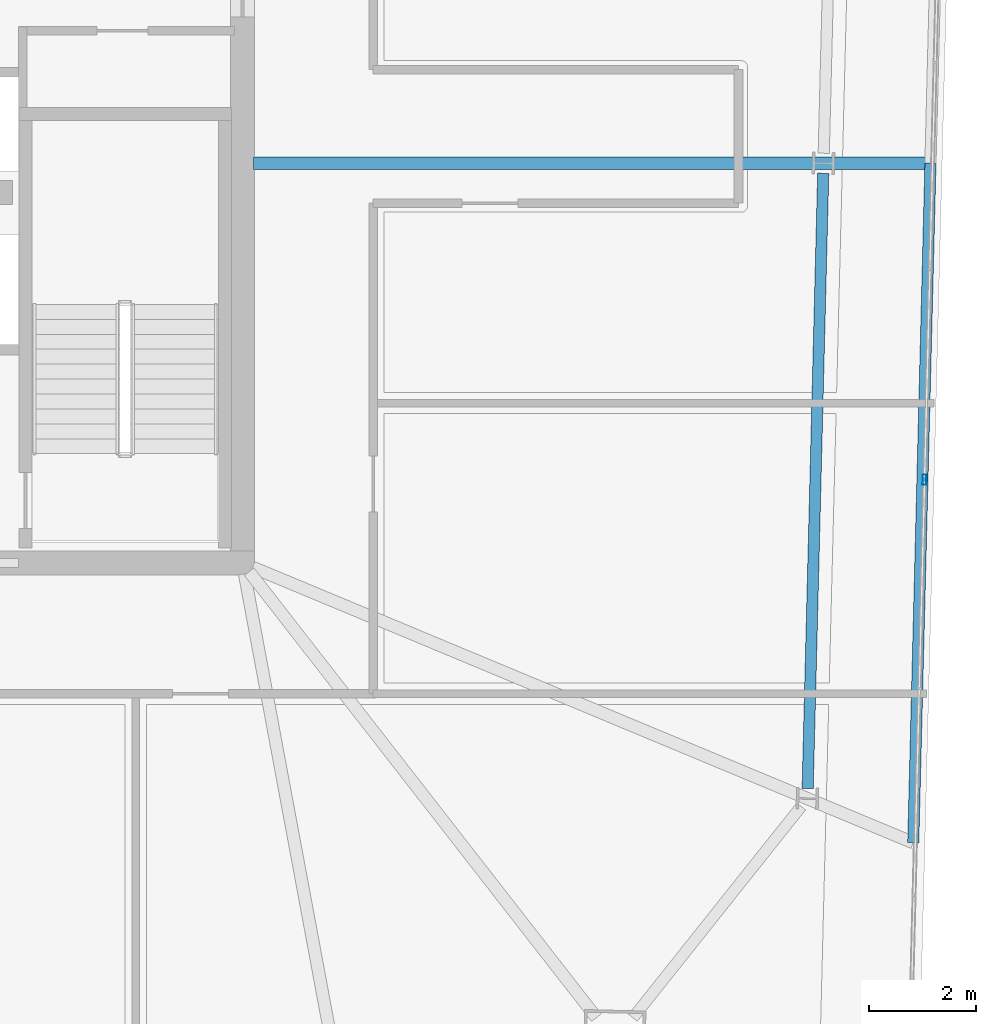
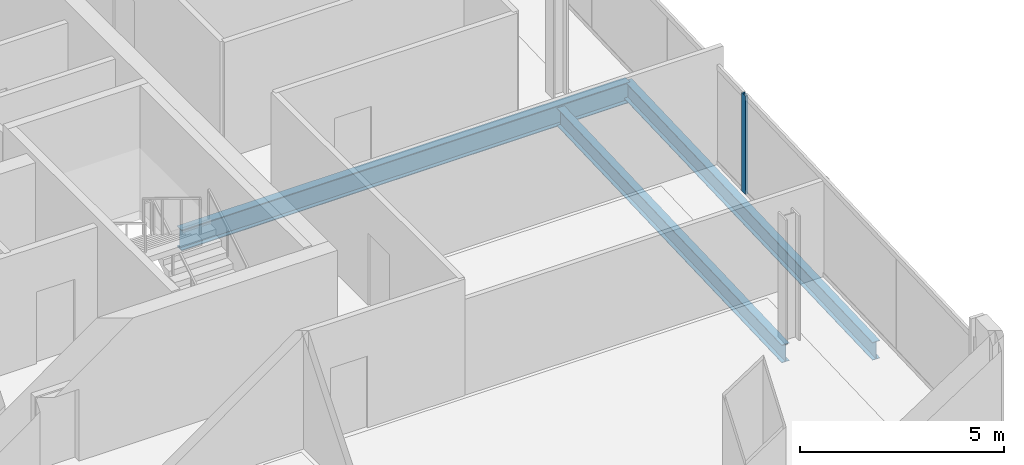
# One storey, part 10 of 25: 3 beams, 1 member, 1 element without a shape of its own.
"""IFC4 building model written with IfcOpenShell, lengths in metres."""

from ifc_helpers import new_model, si_unit, direction, frame, origin, origin_2d, place, context, subcontext, project, spatial, hollow_rectangle, i_section, extrude, material, material_profile, profile_set, type_object, element, aggregate, save


model = new_model("IFC4")

# Units and contexts
model_context = context("Model", 3, precision=1e-05, world=origin(), true_north=direction((0.0, 1.0)))
body_context = subcontext(model_context, "Body", "Model", "MODEL_VIEW")
ifc_project = project(units=[si_unit("LENGTHUNIT", "METRE"), si_unit("AREAUNIT", "SQUARE_METRE"), si_unit("VOLUMEUNIT", "CUBIC_METRE"), si_unit("PLANEANGLEUNIT", "RADIAN"), si_unit("MASSUNIT", "GRAM", prefix="KILO")], contexts=[model_context])

# Site, building, storey
site_placement = place(None, origin())
site = spatial("IfcSite", under=ifc_project, at=site_placement, CompositionType="ELEMENT")
building_placement = place(site_placement, origin())
building = spatial("IfcBuilding", under=site, at=building_placement, Name="Haldenkirk Collegiate Tower", CompositionType="ELEMENT")
storey_placement = place(building_placement, frame((0.0, 0.0, 325.199951171875)))
storey = spatial("IfcBuildingStorey", under=building, at=storey_placement, Name="L82", CompositionType="ELEMENT", Elevation=325.199951171875)

# Beams
ifc_material_1 = material(Name="Steel ASTM A992 Grade 50", Category="steel")
ifc_material_profile_1 = material_profile(ifc_material_1, i_section(OverallWidth=0.22998046875, OverallDepth=0.616943359375, WebThickness=0.01318359375, FlangeThickness=0.022216796875, at=origin_2d()), Name="W24X94")
ifc_profile_set_1 = profile_set([ifc_material_profile_1], Name="Steel ASTM A992 Grade 50")
beam_type_1 = type_object("IfcBeamType", Name="BM-GIRDER-W24X94", PredefinedType="BEAM", material=ifc_profile_set_1)
beam_1_placement = place(storey_placement, frame((57.8994140625, 25.496337890625, -0.568359375), z_axis=(-1.0, 0.0, 0.0), x_axis=(0.0, -1.0, 0.0)))
element("IfcBeam", 1, at=beam_1_placement, inside=storey, type_object=beam_type_1, Name="L82 primary floor girder 06", PredefinedType="BEAM", context=body_context, shape_type="SweptSolid", body=[
    extrude(i_section(OverallWidth=0.22998046875, OverallDepth=0.616943359375, WebThickness=0.01318359375, FlangeThickness=0.022216796875, at=origin_2d()), origin(), (0.0, 0.0, 1.0), 12.6943359375),
])
ifc_material_profile_2 = material_profile(ifc_material_1, i_section(OverallWidth=0.2099609375, OverallDepth=0.537109375, WebThickness=0.010986328125, FlangeThickness=0.017333984375, at=origin_2d()), Name="W21X68")
ifc_profile_set_2 = profile_set([ifc_material_profile_2], Name="Steel ASTM A992 Grade 50")
beam_type_2 = type_object("IfcBeamType", Name="BM-SPANDREL-W21X68", PredefinedType="SPANDREL", material=ifc_profile_set_2)
beam_2_placement = place(storey_placement, frame((55.596923828125, 13.772216796875, -0.528564453125), z_axis=(0.025302458902, 0.999679841536, 0.0), x_axis=(-0.999679841536, 0.025302458902, 0.0)))
element("IfcBeam", 2, at=beam_2_placement, inside=storey, type_object=beam_type_2, Name="L82 perimeter spandrel beam 02", PredefinedType="SPANDREL", context=body_context, shape_type="SweptSolid", body=[
    extrude(i_section(OverallWidth=0.2099609375, OverallDepth=0.537109375, WebThickness=0.010986328125, FlangeThickness=0.017333984375, at=origin_2d()), origin(), (0.0, 0.0, 1.0), 11.5400390625),
])
beam_3_placement = place(storey_placement, frame((57.576904296875, 12.7568359375, -0.528564453125), z_axis=(0.025307619595, 0.999679710903, 0.0), x_axis=(-0.999679710903, 0.025307619595, 0.0)))
element("IfcBeam", 3, at=beam_3_placement, inside=storey, type_object=beam_type_2, Name="L82 outer facade edge beam 1A", PredefinedType="SPANDREL", context=body_context, shape_type="SweptSolid", body=[
    extrude(i_section(OverallWidth=0.2099609375, OverallDepth=0.537109375, WebThickness=0.010986328125, FlangeThickness=0.017333984375, at=origin_2d()), origin(), (0.0, 0.0, 1.0), 12.74365234375),
])

# Curtain wall, member
ifc_material_2 = material(Name="Anodised architectural bronze aluminium", Category="aluminium")
curtain_wall_type = type_object("IfcCurtainWallType", Name="CW-SYS2-CONCAVE", PredefinedType="USERDEFINED", material=ifc_material_2)
curtain_wall_placement = place(storey_placement, origin())
curtain_wall = element("IfcCurtainWall", 4, at=curtain_wall_placement, inside=storey, type_object=curtain_wall_type, Name="L82 South concave recessed bronze-anodised curtain wall", ObjectType="UNITISED CURTAIN WALL", PredefinedType="USERDEFINED")
ifc_material_profile_3 = material_profile(ifc_material_2, hollow_rectangle(XDim=0.074951171875, YDim=0.18994140625, WallThickness=0.0048828125, at=origin_2d()), Name="CW-MUL-02")
ifc_profile_set_3 = profile_set([ifc_material_profile_3], Name="Anodised architectural bronze aluminium")
member_type = type_object("IfcMemberType", Name="CW-MUL-02", PredefinedType="MULLION", material=ifc_profile_set_3)
member_placement = place(storey_placement, frame((57.7890625, 19.563232421875, 0.0), z_axis=(0.0, 0.0, 1.0), x_axis=(0.99967982494, -0.025303114586, 0.0)))
member = element("IfcMember", 5, at=member_placement, type_object=member_type, Name="CW-02 mullion 3", PredefinedType="MULLION", context=body_context, shape_type="SweptSolid", body=[
    extrude(hollow_rectangle(XDim=0.074951171875, YDim=0.18994140625, WallThickness=0.0048828125, at=origin_2d()), origin(), (0.0, 0.0, 1.0), 2.947998046875),
])
aggregate(curtain_wall, [member])

save(model, "model.ifc")
